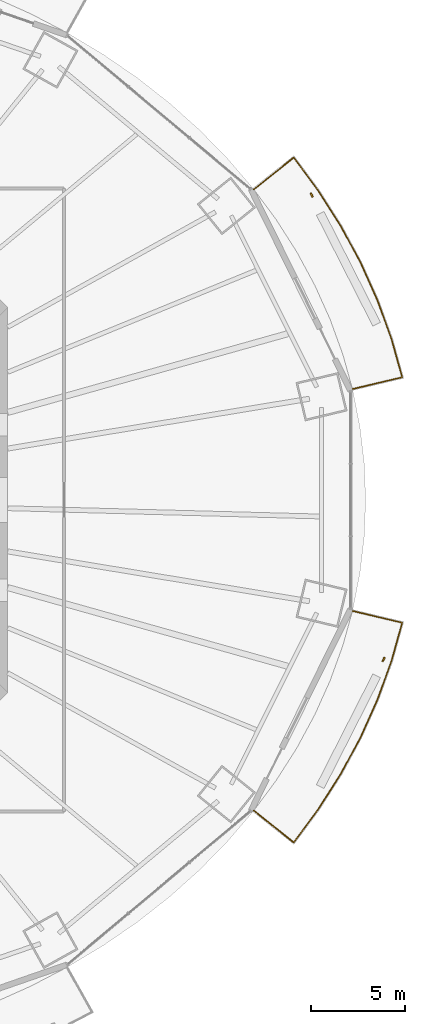
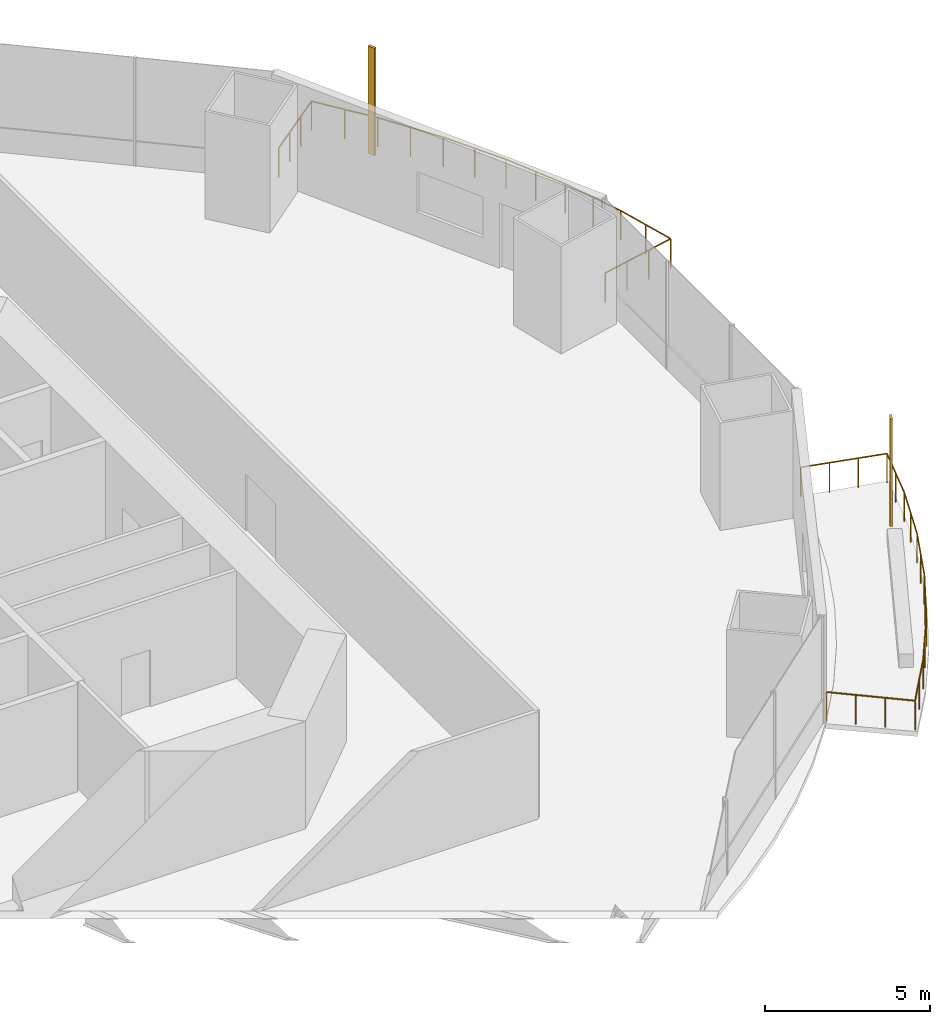
# One storey, part 21 of 22: 2 railings, 2 shading devices.
"""IFC4 building model written with IfcOpenShell, lengths in metres."""

from ifc_helpers import new_model, si_unit, direction, frame, origin, origin_2d, place, context, subcontext, project, spatial, rectangle, circle, extrude, material, material_profile, profile_set, type_object, element, save


model = new_model("IFC4")

# Units and contexts
model_context = context("Model", 3, precision=1e-05, world=origin(), true_north=direction((0.0, 1.0)))
body_context = subcontext(model_context, "Body", "Model", "MODEL_VIEW")
ifc_project = project(units=[si_unit("LENGTHUNIT", "METRE"), si_unit("AREAUNIT", "SQUARE_METRE"), si_unit("VOLUMEUNIT", "CUBIC_METRE"), si_unit("PLANEANGLEUNIT", "RADIAN"), si_unit("MASSUNIT", "GRAM", prefix="KILO")], contexts=[model_context])

# Site, building, storey
site_placement = place(None, origin())
site = spatial("IfcSite", under=ifc_project, at=site_placement, CompositionType="ELEMENT")
building_placement = place(site_placement, origin())
building = spatial("IfcBuilding", under=site, at=building_placement, Name="Marenthal Gate Tower", CompositionType="ELEMENT")
storey_placement = place(building_placement, frame((0.0, 0.0, 70.35009765625)))
storey = spatial("IfcBuildingStorey", under=building, at=storey_placement, Name="L13", CompositionType="ELEMENT", Elevation=70.35009765625)

# Railings
ifc_material_1 = material(Name="Stainless steel", Category="steel")
railing_type = type_object("IfcRailingType", Name="Balcony guard 1100", PredefinedType="GUARDRAIL", material=ifc_material_1)
railing_1_placement = place(storey_placement, frame((29.7109375, 16.55126953125, 0.0)))
element("IfcRailing", 1, at=railing_1_placement, inside=storey, type_object=railing_type, Name="Balcony guard L13 bay 1", PredefinedType="GUARDRAIL", context=body_context, shape_type="SweptSolid", body=[
    extrude(circle(Radius=0.02392578125, at=origin_2d()), frame((0.0, 0.0, 1.076171875), z_axis=(0.782139521654, 0.622929480184, -0.014718402932), x_axis=(-0.622996964186, 0.782224253405, 0.0)), (0.0, 0.0, 1.0), 2.720458984375),
    extrude(circle(Radius=0.02392578125, at=origin_2d()), frame((2.127685546875, 1.694580078125, 1.0361328125), z_axis=(0.594680833833, -0.803961880857, 0.0), x_axis=(0.803961880857, 0.594680833833, 0.0)), (0.0, 0.0, 1.0), 2.17919921875),
    extrude(circle(Radius=0.02392578125, at=origin_2d()), frame((3.423583984375, -0.057373046875, 1.0361328125), z_axis=(0.53758735843, -0.843208059767, 0.0), x_axis=(0.843208059767, 0.53758735843, 0.0)), (0.0, 0.0, 1.0), 2.24072265625),
    extrude(circle(Radius=0.02392578125, at=origin_2d()), frame((4.628173828125, -1.94677734375, 1.0361328125), z_axis=(0.475441262736, -0.879747466997, 0.0), x_axis=(0.879747466997, 0.475441262736, 0.0)), (0.0, 0.0, 1.0), 2.223876953125),
    extrude(circle(Radius=0.02392578125, at=origin_2d()), frame((5.685546875, -3.9033203125, 1.0361328125), z_axis=(0.409519083019, -0.912301551376, 0.0), x_axis=(0.912301551376, 0.409519083019, 0.0)), (0.0, 0.0, 1.0), 2.20947265625),
    extrude(circle(Radius=0.02392578125, at=origin_2d()), frame((6.59033203125, -5.9189453125, 1.0361328125), z_axis=(0.340269936614, -0.940327799353, 0.0), x_axis=(0.940327799353, 0.340269936614, 0.0)), (0.0, 0.0, 1.0), 2.1962890625),
    extrude(circle(Radius=0.02392578125, at=origin_2d()), frame((7.337646484375, -7.984130859375, 1.0361328125), z_axis=(0.26934176956, -0.963044656893, 0.0), x_axis=(0.963044656893, 0.26934176956, 0.0)), (0.0, 0.0, 1.0), 2.105712890625),
    extrude(circle(Radius=0.02392578125, at=origin_2d()), frame((7.90478515625, -10.011962890625, 1.0361328125), z_axis=(-0.972921871805, -0.230665056323, 0.014719482193), x_axis=(0.230690048693, -0.973027287096, 0.0)), (0.0, 0.0, 1.0), 2.72021484375),
    extrude(circle(Radius=0.02099609375, at=origin_2d()), origin(), (0.0, 0.0, 1.0), 1.052001953125),
    extrude(circle(Radius=0.02099609375, at=origin_2d()), frame((0.709228515625, 0.56494140625, -0.013427734375)), (0.0, 0.0, 1.0), 1.052001953125),
    extrude(circle(Radius=0.02099609375, at=origin_2d()), frame((1.41845703125, 1.129638671875, -0.026611328125)), (0.0, 0.0, 1.0), 1.052001953125),
    extrude(circle(Radius=0.02099609375, at=origin_2d()), frame((2.127685546875, 1.694580078125, -0.0400390625)), (0.0, 0.0, 1.0), 1.052001953125),
    extrude(circle(Radius=0.02099609375, at=origin_2d()), frame((2.775634765625, 0.818603515625, -0.0400390625)), (0.0, 0.0, 1.0), 1.052001953125),
    extrude(circle(Radius=0.02099609375, at=origin_2d()), frame((3.423583984375, -0.057373046875, -0.0400390625)), (0.0, 0.0, 1.0), 1.052001953125),
    extrude(circle(Radius=0.02099609375, at=origin_2d()), frame((4.02587890625, -1.001953125, -0.0400390625)), (0.0, 0.0, 1.0), 1.052001953125),
    extrude(circle(Radius=0.02099609375, at=origin_2d()), frame((4.628173828125, -1.94677734375, -0.0400390625)), (0.0, 0.0, 1.0), 1.052001953125),
    extrude(circle(Radius=0.02099609375, at=origin_2d()), frame((5.15673828125, -2.925048828125, -0.0400390625)), (0.0, 0.0, 1.0), 1.052001953125),
    extrude(circle(Radius=0.02099609375, at=origin_2d()), frame((5.685546875, -3.9033203125, -0.0400390625)), (0.0, 0.0, 1.0), 1.052001953125),
    extrude(circle(Radius=0.02099609375, at=origin_2d()), frame((6.137939453125, -4.9111328125, -0.0400390625)), (0.0, 0.0, 1.0), 1.052001953125),
    extrude(circle(Radius=0.02099609375, at=origin_2d()), frame((6.59033203125, -5.9189453125, -0.0400390625)), (0.0, 0.0, 1.0), 1.052001953125),
    extrude(circle(Radius=0.02099609375, at=origin_2d()), frame((6.9638671875, -6.95166015625, -0.0400390625)), (0.0, 0.0, 1.0), 1.052001953125),
    extrude(circle(Radius=0.02099609375, at=origin_2d()), frame((7.337646484375, -7.984130859375, -0.0400390625)), (0.0, 0.0, 1.0), 1.052001953125),
    extrude(circle(Radius=0.02099609375, at=origin_2d()), frame((7.62109375, -8.998046875, -0.0400390625)), (0.0, 0.0, 1.0), 1.052001953125),
    extrude(circle(Radius=0.02099609375, at=origin_2d()), frame((7.90478515625, -10.011962890625, -0.0400390625)), (0.0, 0.0, 1.0), 1.052001953125),
    extrude(circle(Radius=0.02099609375, at=origin_2d()), frame((7.022705078125, -10.22119140625, -0.026611328125)), (0.0, 0.0, 1.0), 1.052001953125),
    extrude(circle(Radius=0.02099609375, at=origin_2d()), frame((6.140380859375, -10.43017578125, -0.013427734375)), (0.0, 0.0, 1.0), 1.052001953125),
    extrude(circle(Radius=0.02099609375, at=origin_2d()), frame((5.25830078125, -10.639404296875, 0.0)), (0.0, 0.0, 1.0), 1.052001953125),
])
railing_2_placement = place(storey_placement, frame((34.96923828125, -5.911865234375, 0.0)))
element("IfcRailing", 2, at=railing_2_placement, inside=storey, type_object=railing_type, Name="Balcony guard L13 bay 15", PredefinedType="GUARDRAIL", context=body_context, shape_type="SweptSolid", body=[
    extrude(circle(Radius=0.02392578125, at=origin_2d()), frame((0.0, 0.0, 1.076171875), z_axis=(0.972921871805, -0.230665056323, -0.014719482193), x_axis=(0.230690048693, 0.973027287096, 0.0)), (0.0, 0.0, 1.0), 2.72021484375),
    extrude(circle(Radius=0.02392578125, at=origin_2d()), frame((2.646484375, -0.62744140625, 1.0361328125), z_axis=(-0.26934176956, -0.963044656893, 0.0), x_axis=(0.963044656893, -0.26934176956, 0.0)), (0.0, 0.0, 1.0), 2.105712890625),
    extrude(circle(Radius=0.02392578125, at=origin_2d()), frame((2.079345703125, -2.6552734375, 1.0361328125), z_axis=(-0.340269936614, -0.940327799353, 0.0), x_axis=(0.940327799353, -0.340269936614, 0.0)), (0.0, 0.0, 1.0), 2.1962890625),
    extrude(circle(Radius=0.02392578125, at=origin_2d()), frame((1.33203125, -4.720458984375, 1.0361328125), z_axis=(-0.409519083019, -0.912301551376, 0.0), x_axis=(0.912301551376, -0.409519083019, 0.0)), (0.0, 0.0, 1.0), 2.20947265625),
    extrude(circle(Radius=0.02392578125, at=origin_2d()), frame((0.42724609375, -6.736083984375, 1.0361328125), z_axis=(-0.475441262736, -0.879747466997, 0.0), x_axis=(0.879747466997, -0.475441262736, 0.0)), (0.0, 0.0, 1.0), 2.223876953125),
    extrude(circle(Radius=0.02392578125, at=origin_2d()), frame((-0.630126953125, -8.692626953125, 1.0361328125), z_axis=(-0.53758735843, -0.843208059767, 0.0), x_axis=(0.843208059767, -0.53758735843, 0.0)), (0.0, 0.0, 1.0), 2.24072265625),
    extrude(circle(Radius=0.02392578125, at=origin_2d()), frame((-1.834716796875, -10.58203125, 1.0361328125), z_axis=(-0.594680833833, -0.803961880857, 0.0), x_axis=(0.803961880857, -0.594680833833, 0.0)), (0.0, 0.0, 1.0), 2.17919921875),
    extrude(circle(Radius=0.02392578125, at=origin_2d()), frame((-3.130615234375, -12.333984375, 1.0361328125), z_axis=(-0.782139521654, 0.622929480184, 0.014718402932), x_axis=(-0.622996964186, -0.782224253405, 0.0)), (0.0, 0.0, 1.0), 2.720458984375),
    extrude(circle(Radius=0.02099609375, at=origin_2d()), origin(), (0.0, 0.0, 1.0), 1.052001953125),
    extrude(circle(Radius=0.02099609375, at=origin_2d()), frame((0.882080078125, -0.209228515625, -0.013427734375)), (0.0, 0.0, 1.0), 1.052001953125),
    extrude(circle(Radius=0.02099609375, at=origin_2d()), frame((1.764404296875, -0.418212890625, -0.026611328125)), (0.0, 0.0, 1.0), 1.052001953125),
    extrude(circle(Radius=0.02099609375, at=origin_2d()), frame((2.646484375, -0.62744140625, -0.0400390625)), (0.0, 0.0, 1.0), 1.052001953125),
    extrude(circle(Radius=0.02099609375, at=origin_2d()), frame((2.36279296875, -1.641357421875, -0.0400390625)), (0.0, 0.0, 1.0), 1.052001953125),
    extrude(circle(Radius=0.02099609375, at=origin_2d()), frame((2.079345703125, -2.6552734375, -0.0400390625)), (0.0, 0.0, 1.0), 1.052001953125),
    extrude(circle(Radius=0.02099609375, at=origin_2d()), frame((1.70556640625, -3.68798828125, -0.0400390625)), (0.0, 0.0, 1.0), 1.052001953125),
    extrude(circle(Radius=0.02099609375, at=origin_2d()), frame((1.33203125, -4.720458984375, -0.0400390625)), (0.0, 0.0, 1.0), 1.052001953125),
    extrude(circle(Radius=0.02099609375, at=origin_2d()), frame((0.879638671875, -5.728271484375, -0.0400390625)), (0.0, 0.0, 1.0), 1.052001953125),
    extrude(circle(Radius=0.02099609375, at=origin_2d()), frame((0.42724609375, -6.736083984375, -0.0400390625)), (0.0, 0.0, 1.0), 1.052001953125),
    extrude(circle(Radius=0.02099609375, at=origin_2d()), frame((-0.1015625, -7.71435546875, -0.0400390625)), (0.0, 0.0, 1.0), 1.052001953125),
    extrude(circle(Radius=0.02099609375, at=origin_2d()), frame((-0.630126953125, -8.692626953125, -0.0400390625)), (0.0, 0.0, 1.0), 1.052001953125),
    extrude(circle(Radius=0.02099609375, at=origin_2d()), frame((-1.232421875, -9.63720703125, -0.0400390625)), (0.0, 0.0, 1.0), 1.052001953125),
    extrude(circle(Radius=0.02099609375, at=origin_2d()), frame((-1.834716796875, -10.58203125, -0.0400390625)), (0.0, 0.0, 1.0), 1.052001953125),
    extrude(circle(Radius=0.02099609375, at=origin_2d()), frame((-2.482666015625, -11.4580078125, -0.0400390625)), (0.0, 0.0, 1.0), 1.052001953125),
    extrude(circle(Radius=0.02099609375, at=origin_2d()), frame((-3.130615234375, -12.333984375, -0.0400390625)), (0.0, 0.0, 1.0), 1.052001953125),
    extrude(circle(Radius=0.02099609375, at=origin_2d()), frame((-3.83984375, -11.76904296875, -0.026611328125)), (0.0, 0.0, 1.0), 1.052001953125),
    extrude(circle(Radius=0.02099609375, at=origin_2d()), frame((-4.549072265625, -11.204345703125, -0.013427734375)), (0.0, 0.0, 1.0), 1.052001953125),
    extrude(circle(Radius=0.02099609375, at=origin_2d()), frame((-5.25830078125, -10.639404296875, 0.0)), (0.0, 0.0, 1.0), 1.052001953125),
])

# Shading devices
ifc_material_2 = material(Name="Terracotta", Category="masonry")
ifc_material_profile = material_profile(ifc_material_2, rectangle(XDim=0.25, YDim=0.080078125, at=origin_2d()), Name="Terracotta baguette 250x80")
ifc_profile_set = profile_set([ifc_material_profile], Name="Terracotta")
shading_device_type = type_object("IfcShadingDeviceType", Name="Terracotta BAGUETTE SCREEN 250x80", PredefinedType="USERDEFINED", material=ifc_profile_set)
for number, where, z_axis, x_axis, name in (
    (3, (32.795166015625, 16.2470703125, -0.0400390625), (0.0, 0.0, 1.0), (-0.44293870584, 0.896551896361, 0.0), "Terracotta BAGUETTE L13 bay 1R"),
    (4, (36.624755859375, -8.495361328125, -0.0400390625), (0.0, 0.0, 1.0), (0.44293870584, 0.896551896361, 0.0), "Terracotta BAGUETTE L13 bay 15R"),
):
    element("IfcShadingDevice", number, at=place(storey_placement, frame(where, z_axis=z_axis, x_axis=x_axis)), inside=storey, type_object=shading_device_type, Name=name, ObjectType="BAGUETTE SCREEN", PredefinedType="USERDEFINED", context=body_context, shape_type="SweptSolid", body=[
        extrude(rectangle(XDim=0.25, YDim=0.080078125, at=origin_2d()), origin(), (0.0, 0.0, 1.0), 3.969970703125),
    ])

save(model, "model.ifc")
